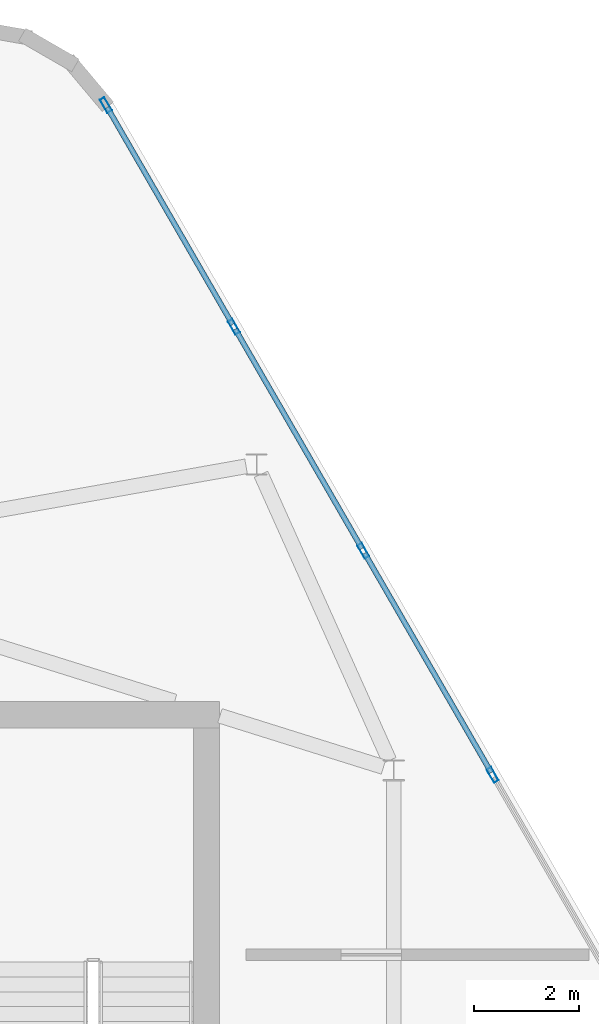
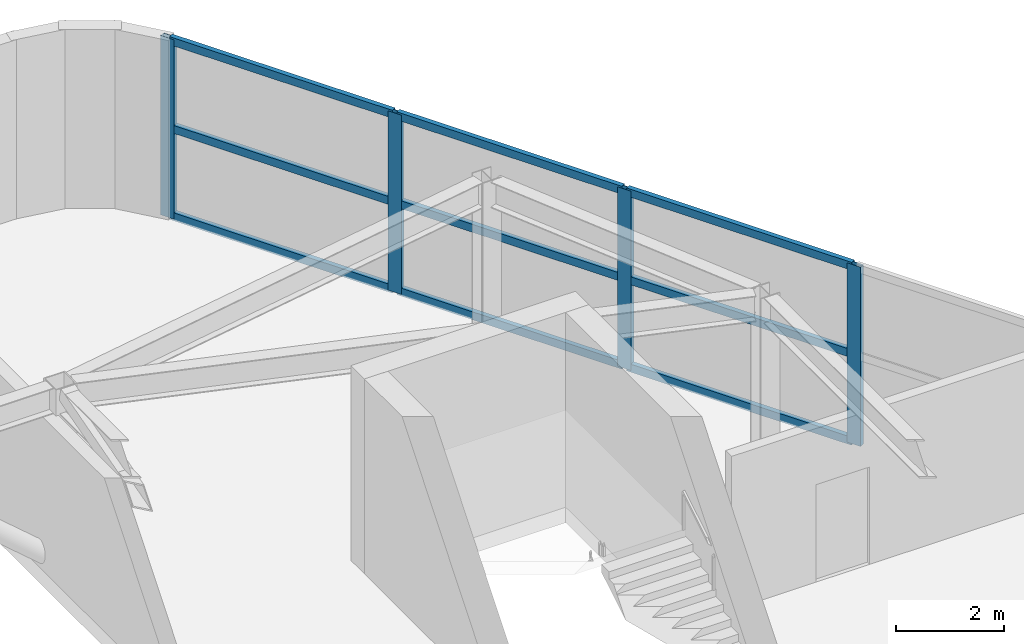
# One storey, part 12 of 16: 13 members, 1 element without a shape of its own.
"""IFC4 building model written with IfcOpenShell, lengths in metres."""

from ifc_helpers import new_model, si_unit, direction, frame, origin, origin_2d, place, context, subcontext, project, spatial, hollow_rectangle, extrude, material, material_profile, profile_set, type_object, element, aggregate, save


model = new_model("IFC4")

# Units and contexts
model_context = context("Model", 3, precision=1e-05, world=origin(), true_north=direction((0.0, 1.0)))
body_context = subcontext(model_context, "Body", "Model", "MODEL_VIEW")
ifc_project = project(units=[si_unit("LENGTHUNIT", "METRE"), si_unit("AREAUNIT", "SQUARE_METRE"), si_unit("VOLUMEUNIT", "CUBIC_METRE"), si_unit("PLANEANGLEUNIT", "RADIAN"), si_unit("MASSUNIT", "GRAM", prefix="KILO")], contexts=[model_context])

# Site, building, storey
site_placement = place(None, origin())
site = spatial("IfcSite", under=ifc_project, at=site_placement, CompositionType="ELEMENT")
building_placement = place(site_placement, origin())
building = spatial("IfcBuilding", under=site, at=building_placement, Name="Zuhravey Tower", CompositionType="ELEMENT")
storey_placement = place(building_placement, frame((0.0, 0.0, 370.199951171875)))
storey = spatial("IfcBuildingStorey", under=building, at=storey_placement, Name="L94", CompositionType="ELEMENT", Elevation=370.199951171875)

# Curtain wall, members
ifc_material_1 = material(Name="Thermally broken anodised aluminium", Category="aluminium")
curtain_wall_type = type_object("IfcCurtainWallType", Name="Split-Top Crown Screened Curtain Wall CW6", PredefinedType="NOTDEFINED", material=ifc_material_1)
curtain_wall_placement = place(storey_placement, origin())
curtain_wall = element("IfcCurtainWall", 1, at=curtain_wall_placement, inside=storey, type_object=curtain_wall_type, Name="L94 CW6 CW6-L94-EAST-04", PredefinedType="NOTDEFINED")
ifc_material_2 = material(Name="Anodised aluminium", Category="aluminium")
ifc_material_profile_1 = material_profile(ifc_material_2, hollow_rectangle(XDim=0.10009765625, YDim=0.2900390625, WallThickness=0.006103515625, at=origin_2d()), Name="ALU-RHS-100x290x6")
ifc_profile_set_1 = profile_set([ifc_material_profile_1], Name="Anodised aluminium")
member_type_1 = type_object("IfcMemberType", Name="Heavy Tall-Storey Mullion 100x220", PredefinedType="MULLION", material=ifc_profile_set_1)
member_1_placement = place(storey_placement, frame((50.741455078125, 54.615234375, 0.0), z_axis=(0.0, 0.0, 1.0), x_axis=(0.866027063754, 0.499997124838, 0.0)))
member_1 = element("IfcMember", 2, at=member_1_placement, type_object=member_type_1, Name="CW6 mullion 1", PredefinedType="MULLION", context=body_context, shape_type="SweptSolid", body=[
    extrude(hollow_rectangle(XDim=0.10009765625, YDim=0.2900390625, WallThickness=0.006103515625, at=origin_2d()), origin(), (0.0, 0.0, 1.0), 4.050048828125),
])
member_2_placement = place(storey_placement, frame((53.16943359375, 50.409912109375, 0.0), z_axis=(0.0, 0.0, 1.0), x_axis=(0.866027063754, 0.499997124838, 0.0)))
member_2 = element("IfcMember", 3, at=member_2_placement, type_object=member_type_1, Name="CW6 mullion 2", PredefinedType="MULLION", context=body_context, shape_type="SweptSolid", body=[
    extrude(hollow_rectangle(XDim=0.10009765625, YDim=0.2900390625, WallThickness=0.006103515625, at=origin_2d()), origin(), (0.0, 0.0, 1.0), 4.050048828125),
])
member_3_placement = place(storey_placement, frame((55.622314453125, 46.161376953125, 0.0), z_axis=(0.0, 0.0, 1.0), x_axis=(0.866027063754, 0.499997124838, 0.0)))
member_3 = element("IfcMember", 4, at=member_3_placement, type_object=member_type_1, Name="CW6 mullion 3", PredefinedType="MULLION", context=body_context, shape_type="SweptSolid", body=[
    extrude(hollow_rectangle(XDim=0.10009765625, YDim=0.2900390625, WallThickness=0.006103515625, at=origin_2d()), origin(), (0.0, 0.0, 1.0), 4.050048828125),
])
member_4_placement = place(storey_placement, frame((58.0751953125, 41.912841796875, 0.0), z_axis=(0.0, 0.0, 1.0), x_axis=(0.866027063754, 0.499997124838, 0.0)))
member_4 = element("IfcMember", 5, at=member_4_placement, type_object=member_type_1, Name="CW6 mullion 4", PredefinedType="MULLION", context=body_context, shape_type="SweptSolid", body=[
    extrude(hollow_rectangle(XDim=0.10009765625, YDim=0.2900390625, WallThickness=0.006103515625, at=origin_2d()), origin(), (0.0, 0.0, 1.0), 4.050048828125),
])
ifc_material_profile_2 = material_profile(ifc_material_2, hollow_rectangle(XDim=0.10009765625, YDim=0.179931640625, WallThickness=0.006103515625, at=origin_2d()), Name="ALU-RHS-100x180x6")
ifc_profile_set_2 = profile_set([ifc_material_profile_2], Name="Anodised aluminium")
member_type_2 = type_object("IfcMemberType", Name="Tall-Storey Transom 100x180", PredefinedType="USERDEFINED", material=ifc_profile_set_2)
member_5_placement = place(storey_placement, frame((50.7666015625, 54.57177734375, 0.050048828125), z_axis=(0.499965384433, -0.866045388169, 0.0), x_axis=(0.866045388169, 0.499965384433, 0.0)))
member_5 = element("IfcMember", 6, at=member_5_placement, type_object=member_type_2, Name="CW6 transom 1.1", ObjectType="TRANSOM", PredefinedType="USERDEFINED", context=body_context, shape_type="SweptSolid", body=[
    extrude(hollow_rectangle(XDim=0.10009765625, YDim=0.179931640625, WallThickness=0.006103515625, at=origin_2d()), origin(), (0.0, 0.0, 1.0), 4.755615234375),
])
member_6_placement = place(storey_placement, frame((50.7666015625, 54.57177734375, 2.025146484375), z_axis=(0.499965384433, -0.866045388169, 0.0), x_axis=(0.866045388169, 0.499965384433, 0.0)))
member_6 = element("IfcMember", 7, at=member_6_placement, type_object=member_type_2, Name="CW6 transom 1.2", ObjectType="TRANSOM", PredefinedType="USERDEFINED", context=body_context, shape_type="SweptSolid", body=[
    extrude(hollow_rectangle(XDim=0.10009765625, YDim=0.179931640625, WallThickness=0.006103515625, at=origin_2d()), origin(), (0.0, 0.0, 1.0), 4.755615234375),
])
member_7_placement = place(storey_placement, frame((50.7666015625, 54.57177734375, 4.0), z_axis=(0.499965384433, -0.866045388169, 0.0), x_axis=(0.866045388169, 0.499965384433, 0.0)))
member_7 = element("IfcMember", 8, at=member_7_placement, type_object=member_type_2, Name="CW6 transom 1.3", ObjectType="TRANSOM", PredefinedType="USERDEFINED", context=body_context, shape_type="SweptSolid", body=[
    extrude(hollow_rectangle(XDim=0.10009765625, YDim=0.179931640625, WallThickness=0.006103515625, at=origin_2d()), origin(), (0.0, 0.0, 1.0), 4.755615234375),
])
member_8_placement = place(storey_placement, frame((53.1943359375, 50.36669921875, 0.050048828125), z_axis=(0.500012672123, -0.866018087407, 0.0), x_axis=(0.866018087407, 0.500012672123, 0.0)))
member_8 = element("IfcMember", 9, at=member_8_placement, type_object=member_type_2, Name="CW6 transom 2.1", ObjectType="TRANSOM", PredefinedType="USERDEFINED", context=body_context, shape_type="SweptSolid", body=[
    extrude(hollow_rectangle(XDim=0.10009765625, YDim=0.179931640625, WallThickness=0.006103515625, at=origin_2d()), origin(), (0.0, 0.0, 1.0), 4.80615234375),
])
member_9_placement = place(storey_placement, frame((53.1943359375, 50.36669921875, 2.025146484375), z_axis=(0.500012672123, -0.866018087407, 0.0), x_axis=(0.866018087407, 0.500012672123, 0.0)))
member_9 = element("IfcMember", 10, at=member_9_placement, type_object=member_type_2, Name="CW6 transom 2.2", ObjectType="TRANSOM", PredefinedType="USERDEFINED", context=body_context, shape_type="SweptSolid", body=[
    extrude(hollow_rectangle(XDim=0.10009765625, YDim=0.179931640625, WallThickness=0.006103515625, at=origin_2d()), origin(), (0.0, 0.0, 1.0), 4.80615234375),
])
member_10_placement = place(storey_placement, frame((53.1943359375, 50.36669921875, 4.0), z_axis=(0.500012672123, -0.866018087407, 0.0), x_axis=(0.866018087407, 0.500012672123, 0.0)))
member_10 = element("IfcMember", 11, at=member_10_placement, type_object=member_type_2, Name="CW6 transom 2.3", ObjectType="TRANSOM", PredefinedType="USERDEFINED", context=body_context, shape_type="SweptSolid", body=[
    extrude(hollow_rectangle(XDim=0.10009765625, YDim=0.179931640625, WallThickness=0.006103515625, at=origin_2d()), origin(), (0.0, 0.0, 1.0), 4.80615234375),
])
member_11_placement = place(storey_placement, frame((55.647216796875, 46.117919921875, 0.050048828125), z_axis=(0.50003466983, -0.866005386223, 0.0), x_axis=(0.866005386223, 0.50003466983, 0.0)))
member_11 = element("IfcMember", 12, at=member_11_placement, type_object=member_type_2, Name="CW6 transom 3.1", ObjectType="TRANSOM", PredefinedType="USERDEFINED", context=body_context, shape_type="SweptSolid", body=[
    extrude(hollow_rectangle(XDim=0.10009765625, YDim=0.179931640625, WallThickness=0.006103515625, at=origin_2d()), origin(), (0.0, 0.0, 1.0), 4.805908203125),
])
member_12_placement = place(storey_placement, frame((55.647216796875, 46.117919921875, 2.025146484375), z_axis=(0.50003466983, -0.866005386223, 0.0), x_axis=(0.866005386223, 0.50003466983, 0.0)))
member_12 = element("IfcMember", 13, at=member_12_placement, type_object=member_type_2, Name="CW6 transom 3.2", ObjectType="TRANSOM", PredefinedType="USERDEFINED", context=body_context, shape_type="SweptSolid", body=[
    extrude(hollow_rectangle(XDim=0.10009765625, YDim=0.179931640625, WallThickness=0.006103515625, at=origin_2d()), origin(), (0.0, 0.0, 1.0), 4.805908203125),
])
member_13_placement = place(storey_placement, frame((55.647216796875, 46.117919921875, 4.0), z_axis=(0.50003466983, -0.866005386223, 0.0), x_axis=(0.866005386223, 0.50003466983, 0.0)))
member_13 = element("IfcMember", 14, at=member_13_placement, type_object=member_type_2, Name="CW6 transom 3.3", ObjectType="TRANSOM", PredefinedType="USERDEFINED", context=body_context, shape_type="SweptSolid", body=[
    extrude(hollow_rectangle(XDim=0.10009765625, YDim=0.179931640625, WallThickness=0.006103515625, at=origin_2d()), origin(), (0.0, 0.0, 1.0), 4.805908203125),
])
aggregate(curtain_wall, [member_1, member_2, member_3, member_4, member_5, member_6, member_7, member_8, member_9, member_10, member_11, member_12, member_13])

save(model, "model.ifc")
